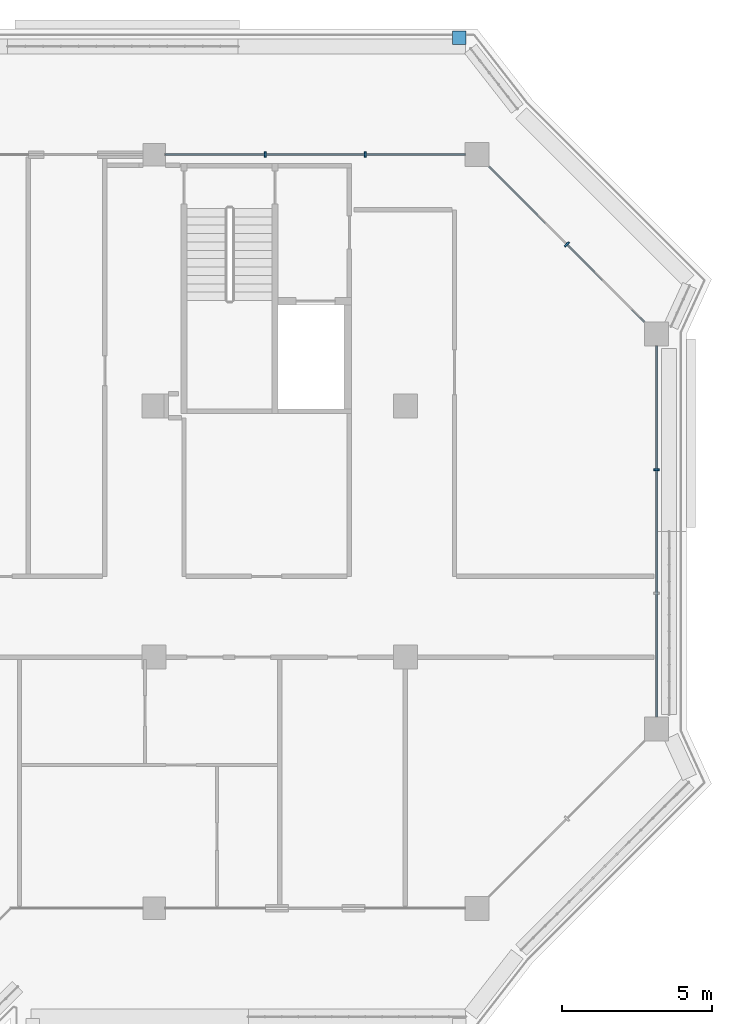
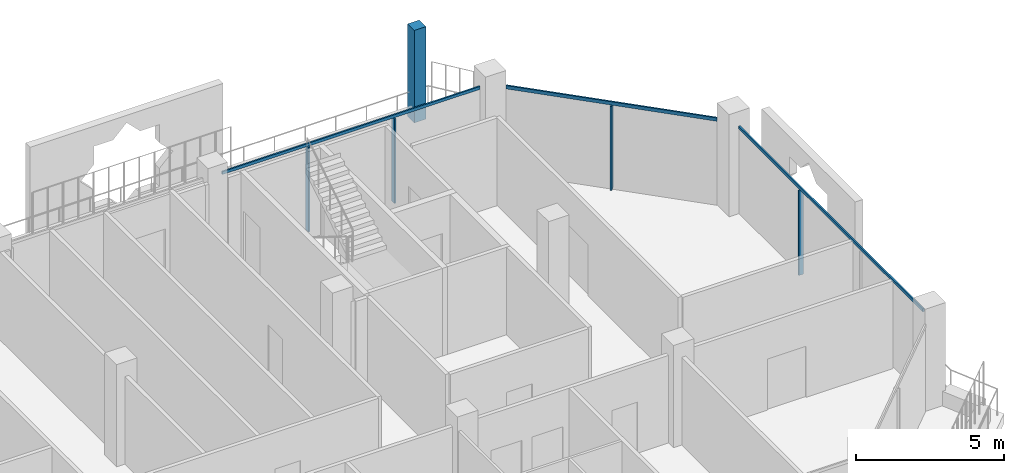
# One storey, part 8 of 22: 8 members, 4 elements without a shape of their own.
"""IFC4 building model written with IfcOpenShell, lengths in metres."""

from ifc_helpers import new_model, si_unit, direction, frame, origin, origin_2d, place, context, subcontext, project, spatial, rectangle, extrude, material, layer, layer_set, material_profile, profile_set, type_object, element, aggregate, save


model = new_model("IFC4")

# Units and contexts
model_context = context("Model", 3, precision=1e-05, world=origin(), true_north=direction((0.0, 1.0)))
body_context = subcontext(model_context, "Body", "Model", "MODEL_VIEW")
ifc_project = project(units=[si_unit("LENGTHUNIT", "METRE"), si_unit("AREAUNIT", "SQUARE_METRE"), si_unit("VOLUMEUNIT", "CUBIC_METRE"), si_unit("PLANEANGLEUNIT", "RADIAN"), si_unit("MASSUNIT", "GRAM", prefix="KILO")], contexts=[model_context])

# Site, building, storey
site_placement = place(None, origin())
site = spatial("IfcSite", under=ifc_project, at=site_placement, CompositionType="ELEMENT")
building_placement = place(site_placement, origin())
building = spatial("IfcBuilding", under=site, at=building_placement, Name="Kawkab Arch Medical Tower", CompositionType="ELEMENT")
storey_placement = place(building_placement, frame((0.0, 0.0, 298.60009765625)))
storey = spatial("IfcBuildingStorey", under=building, at=storey_placement, Name="L69", CompositionType="ELEMENT", Elevation=298.60009765625)

# Curtain wall, member
ifc_material_1 = material(Name="Bronze anodised aluminium curtain wall frame", Category="aluminium")
ifc_layer_1 = layer(ifc_material_1, 0.159912109375)
ifc_layer_set_1 = layer_set([ifc_layer_1], Name="Bronze anodised aluminium curtain wall frame")
curtain_wall_type_1 = type_object("IfcCurtainWallType", Name="CW1 ward curtain wall", PredefinedType="NOTDEFINED", material=ifc_layer_set_1)
placement = place(storey_placement, origin())
curtain_wall_1 = element("IfcCurtainWall", 1, at=placement, inside=storey, type_object=curtain_wall_type_1, Name="CW1 Ward curtain wall R13", PredefinedType="NOTDEFINED")
ifc_material_2 = material(Name="Bronze anodised aluminium curtain wall frame", Category="aluminium")
ifc_material_profile_1 = material_profile(ifc_material_2, rectangle(XDim=0.179931640625, YDim=0.06005859375, at=origin_2d()), Name="AL 60x180")
ifc_profile_set_1 = profile_set([ifc_material_profile_1], Name="Bronze anodised aluminium curtain wall frame")
member_type_1 = type_object("IfcMemberType", Name="CW1 mullion 60 x 180", PredefinedType="MULLION", material=ifc_profile_set_1)
member_1_placement = place(storey_placement, frame((58.800048828125, -10.533447265625, 0.0), z_axis=(0.0, 0.0, 1.0), x_axis=(-1.0, 0.0, 0.0)))
member_1 = element("IfcMember", 2, at=member_1_placement, type_object=member_type_1, Name="CW1 mullion 1.2", PredefinedType="MULLION", context=body_context, shape_type="SweptSolid", body=[
    extrude(rectangle(XDim=0.179931640625, YDim=0.06005859375, at=origin_2d()), origin(), (0.0, 0.0, 1.0), 3.47998046875),
])

# Curtain wall, members
curtain_wall_2 = element("IfcCurtainWall", 3, at=placement, inside=storey, type_object=curtain_wall_type_1, Name="CW1 Ward curtain wall R15", PredefinedType="NOTDEFINED")
member_2_placement = place(storey_placement, frame((49.058349609375, 0.0, 0.0), z_axis=(0.0, 0.0, 1.0), x_axis=(0.0, -1.0, 0.0)))
member_2 = element("IfcMember", 4, at=member_2_placement, type_object=member_type_1, Name="CW1 mullion 1.1", PredefinedType="MULLION", context=body_context, shape_type="SweptSolid", body=[
    extrude(rectangle(XDim=0.179931640625, YDim=0.06005859375, at=origin_2d()), origin(), (0.0, 0.0, 1.0), 3.47998046875),
])
member_3_placement = place(storey_placement, frame((45.716552734375, 0.0, 0.0), z_axis=(0.0, 0.0, 1.0), x_axis=(0.0, -1.0, 0.0)))
member_3 = element("IfcMember", 5, at=member_3_placement, type_object=member_type_1, Name="CW1 mullion 1.2", PredefinedType="MULLION", context=body_context, shape_type="SweptSolid", body=[
    extrude(rectangle(XDim=0.179931640625, YDim=0.06005859375, at=origin_2d()), origin(), (0.0, 0.0, 1.0), 3.47998046875),
])

# Member
ifc_material_3 = material(Name="Bronze anodised aluminium curtain wall frame", Category="aluminium")
ifc_material_profile_2 = material_profile(ifc_material_3, rectangle(XDim=0.06005859375, YDim=0.1201171875, at=origin_2d()), Name="AL 60x120")
ifc_profile_set_2 = profile_set([ifc_material_profile_2], Name="Bronze anodised aluminium curtain wall frame")
member_type_2 = type_object("IfcMemberType", Name="CW1 transom 120 x 60", PredefinedType="USERDEFINED", material=ifc_profile_set_2)
member_4_placement = place(storey_placement, frame((58.800048828125, -18.800048828125, 3.539794921875), z_axis=(0.0, 1.0, 0.0), x_axis=(-1.0, 0.0, 0.0)))
member_4 = element("IfcMember", 6, at=member_4_placement, type_object=member_type_2, Name="CW1 transom 1", ObjectType="TRANSOM", PredefinedType="USERDEFINED", context=body_context, shape_type="SweptSolid", body=[
    extrude(rectangle(XDim=0.06005859375, YDim=0.1201171875, at=origin_2d()), origin(), (0.0, 0.0, 1.0), 12.400146484375),
])

aggregate(curtain_wall_1, [member_4, member_1])

member_5_placement = place(storey_placement, frame((52.39990234375, 0.0, 3.539794921875), z_axis=(-1.0, 0.0, 0.0), x_axis=(0.0, -1.0, 0.0)))
member_5 = element("IfcMember", 7, at=member_5_placement, type_object=member_type_2, Name="CW1 transom 1", ObjectType="TRANSOM", PredefinedType="USERDEFINED", context=body_context, shape_type="SweptSolid", body=[
    extrude(rectangle(XDim=0.06005859375, YDim=0.1201171875, at=origin_2d()), origin(), (0.0, 0.0, 1.0), 10.02490234375),
])

aggregate(curtain_wall_2, [member_5, member_2, member_3])

# Curtain wall, members
ifc_material_4 = material(Name="Bronze anodised aluminium curtain wall frame", Category="aluminium")
ifc_layer_2 = layer(ifc_material_4, 0.159912109375)
ifc_layer_set_2 = layer_set([ifc_layer_2], Name="Bronze anodised aluminium curtain wall frame")
curtain_wall_type_2 = type_object("IfcCurtainWallType", Name="CW2 chamfer curtain wall", PredefinedType="NOTDEFINED", material=ifc_layer_set_2)
curtain_wall_3 = element("IfcCurtainWall", 8, at=placement, inside=storey, type_object=curtain_wall_type_2, Name="CW2 Chamfer curtain wall R14", PredefinedType="NOTDEFINED")
ifc_material_5 = material(Name="Bronze anodised aluminium curtain wall frame", Category="aluminium")
ifc_material_profile_3 = material_profile(ifc_material_5, rectangle(XDim=0.199951171875, YDim=0.06005859375, at=origin_2d()), Name="AL 60x200")
ifc_profile_set_3 = profile_set([ifc_material_profile_3], Name="Bronze anodised aluminium curtain wall frame")
member_type_3 = type_object("IfcMemberType", Name="CW2 mullion 60 x 200", PredefinedType="MULLION", material=ifc_profile_set_3)
member_6_placement = place(storey_placement, frame((55.800048828125, -3.0, 0.0), z_axis=(0.0, 0.0, 1.0), x_axis=(-0.707106781187, -0.707106781187, 0.0)))
member_6 = element("IfcMember", 9, at=member_6_placement, type_object=member_type_3, Name="CW2 mullion 1.1", PredefinedType="MULLION", context=body_context, shape_type="SweptSolid", body=[
    extrude(rectangle(XDim=0.199951171875, YDim=0.06005859375, at=origin_2d()), origin(), (0.0, 0.0, 1.0), 3.4599609375),
])
ifc_material_6 = material(Name="Bronze anodised aluminium curtain wall frame", Category="aluminium")
ifc_material_profile_4 = material_profile(ifc_material_6, rectangle(XDim=0.06005859375, YDim=0.139892578125, at=origin_2d()), Name="AL 60x140")
ifc_profile_set_4 = profile_set([ifc_material_profile_4], Name="Bronze anodised aluminium curtain wall frame")
member_type_4 = type_object("IfcMemberType", Name="CW2 transom 140 x 60", PredefinedType="USERDEFINED", material=ifc_profile_set_4)
member_7_placement = place(storey_placement, frame((58.39990234375, -5.60009765625, 3.52978515625), z_axis=(-0.707090181851, 0.707123380132, 0.0), x_axis=(-0.707123380132, -0.707090181851, 0.0)))
member_7 = element("IfcMember", 10, at=member_7_placement, type_object=member_type_4, Name="CW2 transom 1", ObjectType="TRANSOM", PredefinedType="USERDEFINED", context=body_context, shape_type="SweptSolid", body=[
    extrude(rectangle(XDim=0.06005859375, YDim=0.139892578125, at=origin_2d()), origin(), (0.0, 0.0, 1.0), 7.35400390625),
])
aggregate(curtain_wall_3, [member_7, member_6])

# Curtain wall, member
ifc_material_7 = material(Name="Bronze anodised aluminium climber frame, planted", Category="aluminium")
ifc_layer_3 = layer(ifc_material_7, 0.449951171875)
ifc_layer_set_3 = layer_set([ifc_layer_3], Name="Bronze anodised aluminium climber frame, planted")
curtain_wall_type_3 = type_object("IfcCurtainWallType", Name="Planted climber frame", PredefinedType="NOTDEFINED", material=ifc_layer_set_3)
curtain_wall_4 = element("IfcCurtainWall", 11, at=placement, inside=storey, type_object=curtain_wall_type_3, Name="Planted climber frame L69", PredefinedType="NOTDEFINED")
ifc_material_8 = material(Name="Bronze anodised aluminium climber frame, planted", Category="aluminium")
ifc_material_profile_5 = material_profile(ifc_material_8, rectangle(XDim=0.449951171875, YDim=0.449951171875, at=origin_2d()), Name="Post 450x450")
ifc_profile_set_5 = profile_set([ifc_material_profile_5], Name="Bronze anodised aluminium climber frame, planted")
member_type_5 = type_object("IfcMemberType", Name="Planted climber post 450 x 450", PredefinedType="MULLION", material=ifc_profile_set_5)
member_8_placement = place(storey_placement, frame((52.202880859375, 3.89990234375, 0.0), z_axis=(0.0, 0.0, 1.0), x_axis=(1.0, 0.0, 0.0)))
member_8 = element("IfcMember", 12, at=member_8_placement, type_object=member_type_5, Name="Planted climber post L69.LOG-01-01.4", PredefinedType="MULLION", context=body_context, shape_type="SweptSolid", body=[
    extrude(rectangle(XDim=0.449951171875, YDim=0.449951171875, at=origin_2d()), origin(), (0.0, 0.0, 1.0), 3.7998046875),
])
aggregate(curtain_wall_4, [member_8])

save(model, "model.ifc")
